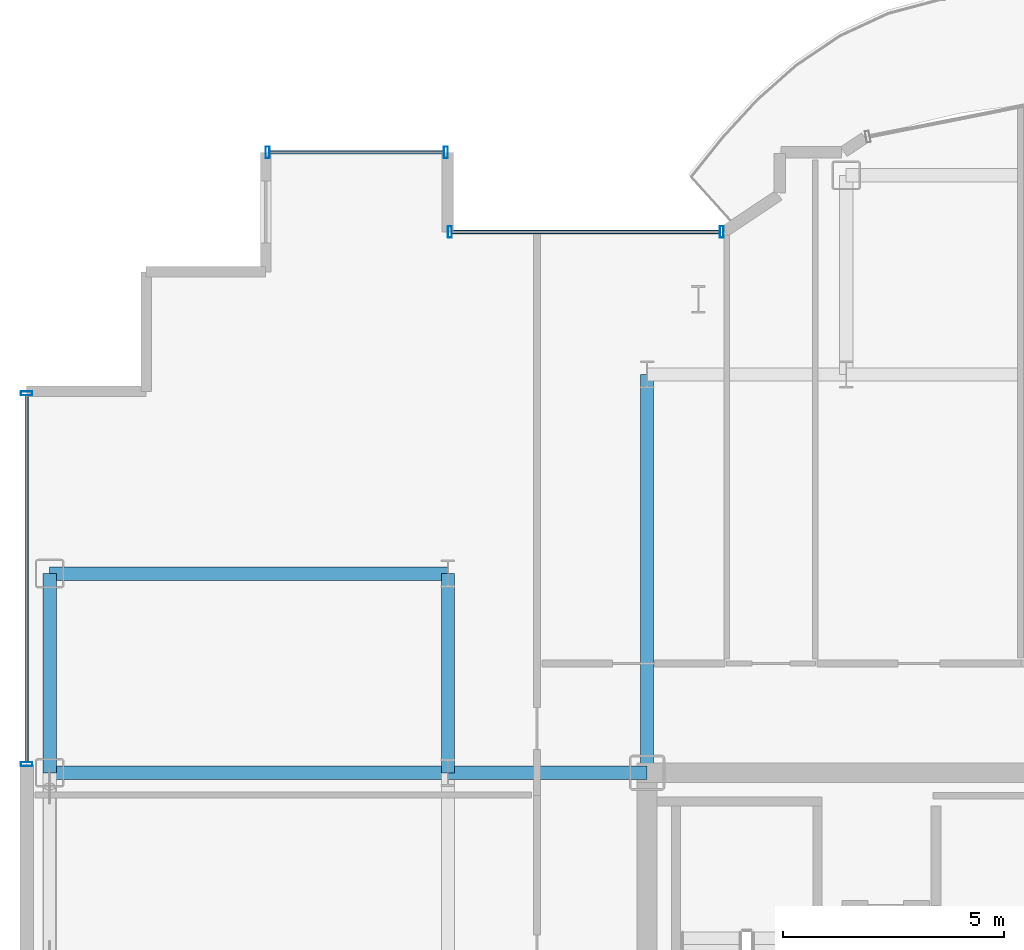
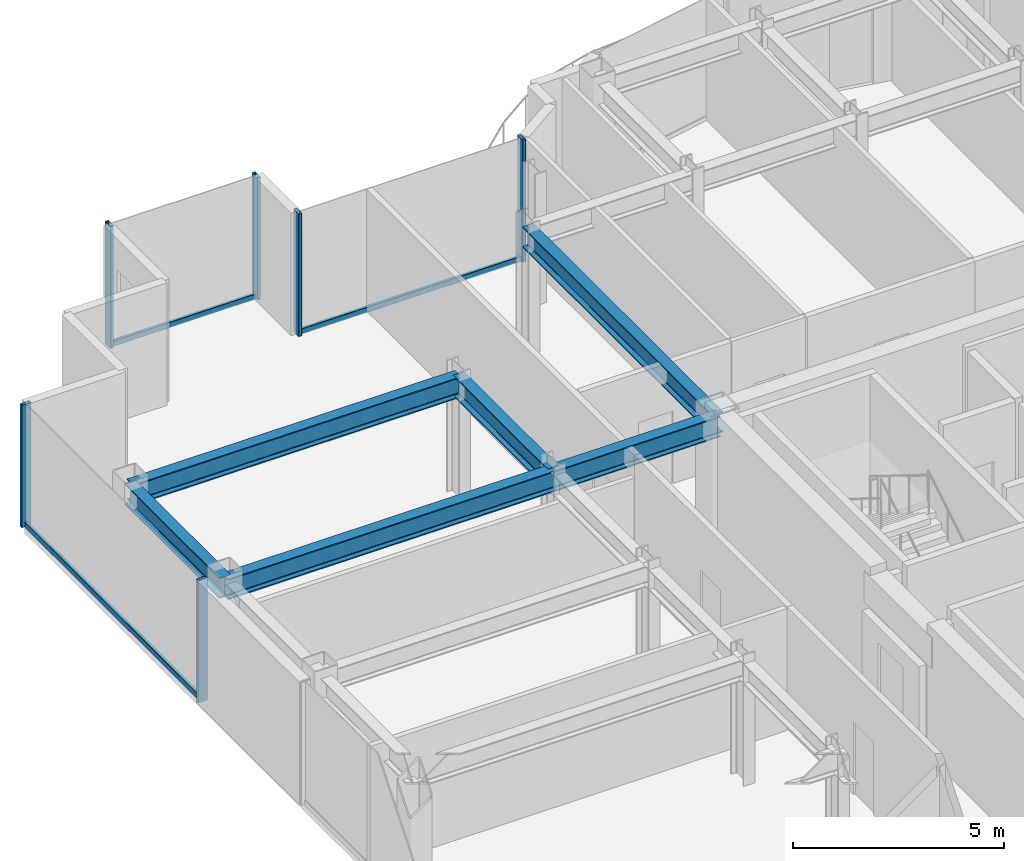
# One storey, part 7 of 16: 9 members, 6 beams, 3 elements without a shape of their own.
"""IFC4 building model written with IfcOpenShell, lengths in metres."""

from ifc_helpers import new_model, si_unit, direction, frame, origin, origin_2d, place, context, subcontext, project, spatial, hollow_rectangle, i_section, extrude, source, transform, mapped, material, layer, layer_set, material_profile, profile_set, type_object, element, aggregate, save


model = new_model("IFC4")

# Units and contexts
model_context = context("Model", 3, precision=1e-05, world=origin(), true_north=direction((0.0, 1.0)))
body_context = subcontext(model_context, "Body", "Model", "MODEL_VIEW")
ifc_project = project(units=[si_unit("LENGTHUNIT", "METRE"), si_unit("AREAUNIT", "SQUARE_METRE"), si_unit("VOLUMEUNIT", "CUBIC_METRE"), si_unit("PLANEANGLEUNIT", "RADIAN"), si_unit("MASSUNIT", "GRAM", prefix="KILO")], contexts=[model_context])

# Site, building, storey
site_placement = place(None, origin())
site = spatial("IfcSite", under=ifc_project, at=site_placement, CompositionType="ELEMENT")
building_placement = place(site_placement, origin())
building = spatial("IfcBuilding", under=site, at=building_placement, Name="Nefas-Gora Pilgrimage Tower", CompositionType="ELEMENT")
storey_placement = place(building_placement, frame((0.0, 0.0, 287.39990234375)))
storey = spatial("IfcBuildingStorey", under=building, at=storey_placement, Name="L72", CompositionType="ELEMENT", Elevation=287.39990234375)

# Beams
ifc_material_1 = material(Name="Steel S355", Category="steel")
ifc_material_profile_1 = material_profile(ifc_material_1, i_section(OverallWidth=0.300048828125, OverallDepth=0.60009765625, WebThickness=0.015380859375, FlangeThickness=0.030029296875, FilletRadius=0.027099609375, at=origin_2d()), Name="HEB 600")
ifc_profile_set_1 = profile_set([ifc_material_profile_1], Name="Steel S355")
beam_type_1 = type_object("IfcBeamType", Name="BM-SPN-HEB450", PredefinedType="SPANDREL", material=ifc_profile_set_1)
shared_shape_1 = source(origin(), body_context, "Body", "SweptSolid", [
    extrude(i_section(OverallWidth=0.300048828125, OverallDepth=0.60009765625, WebThickness=0.015380859375, FlangeThickness=0.030029296875, FilletRadius=0.027099609375, at=origin_2d()), origin(), (0.0, 0.0, 1.0), 4.5),
])
beam_placement = place(storey_placement, frame((-24.75, 9.0, 3.25), z_axis=(0.0, 1.0, 0.0), x_axis=(-1.0, 0.0, 0.0)))
element("IfcBeam", 1, at=beam_placement, inside=storey, type_object=beam_type_1, Name="L72 SP-03 beam", PredefinedType="SPANDREL", context=body_context, shape_type="MappedRepresentation", body=[
    mapped(shared_shape_1, transform((0.0, 0.0, 0.0), x_axis=(1.0, 0.0, 0.0), y_axis=(0.0, 1.0, 0.0), z_axis=(0.0, 0.0, 1.0), scale=1.0)),
])
ifc_material_profile_2 = material_profile(ifc_material_1, i_section(OverallWidth=0.300048828125, OverallDepth=0.60009765625, WebThickness=0.015380859375, FlangeThickness=0.030029296875, FilletRadius=0.027099609375, at=origin_2d()), Name="HEB 600")
ifc_profile_set_2 = profile_set([ifc_material_profile_2], Name="Steel S355")
beam_type_2 = type_object("IfcBeamType", Name="BM-GIR-HEB600", PredefinedType="BEAM", material=ifc_profile_set_2)
shared_shape_2 = source(origin(), body_context, "Body", "SweptSolid", [
    extrude(i_section(OverallWidth=0.300048828125, OverallDepth=0.60009765625, WebThickness=0.015380859375, FlangeThickness=0.030029296875, FilletRadius=0.027099609375, at=origin_2d()), origin(), (0.0, 0.0, 1.0), 9.0),
])
for number, where, z_axis, x_axis, name in (
    (2, (-24.75, 9.0, 3.25), (1.0, 0.0, 0.0), (0.0, 1.0, 0.0), "L72 G-04 beam"),
    (3, (-24.75, 13.5, 3.25), (1.0, 0.0, 0.0), (0.0, 1.0, 0.0), "L72 G-04 beam"),
    (4, (-11.25, 9.0, 3.25), (0.0, 1.0, 0.0), (-1.0, 0.0, 0.0), "L72 G-04 beam"),
):
    element("IfcBeam", number, at=place(storey_placement, frame(where, z_axis=z_axis, x_axis=x_axis)), inside=storey, type_object=beam_type_2, Name=name, PredefinedType="BEAM", context=body_context, shape_type="MappedRepresentation", body=[
        mapped(shared_shape_2, transform((0.0, 0.0, 0.0), x_axis=(1.0, 0.0, 0.0), y_axis=(0.0, 1.0, 0.0), z_axis=(0.0, 0.0, 1.0), scale=1.0)),
    ])
shared_shape_3 = source(origin(), body_context, "Body", "SweptSolid", [
    extrude(i_section(OverallWidth=0.300048828125, OverallDepth=0.60009765625, WebThickness=0.015380859375, FlangeThickness=0.030029296875, FilletRadius=0.027099609375, at=origin_2d()), origin(), (0.0, 0.0, 1.0), 4.5),
])
for number, where, z_axis, x_axis, name in (
    (5, (-15.75, 9.0, 3.25), (0.0, 1.0, 0.0), (-1.0, 0.0, 0.0), "L72 G-04 beam"),
    (6, (-15.75, 9.0, 3.25), (1.0, 0.0, 0.0), (0.0, 1.0, 0.0), "L72 G-04 beam"),
):
    element("IfcBeam", number, at=place(storey_placement, frame(where, z_axis=z_axis, x_axis=x_axis)), inside=storey, type_object=beam_type_2, Name=name, PredefinedType="BEAM", context=body_context, shape_type="MappedRepresentation", body=[
        mapped(shared_shape_3, transform((0.0, 0.0, 0.0), x_axis=(1.0, 0.0, 0.0), y_axis=(0.0, 1.0, 0.0), z_axis=(0.0, 0.0, 1.0), scale=1.0)),
    ])

# Curtain wall, members
ifc_material_2 = material(Name="Dark ceramic-fritted solar-control aluminium-glass curtain wall", Category="aluminium")
ifc_layer_1 = layer(ifc_material_2, 0.219970703125)
ifc_layer_set_1 = layer_set([ifc_layer_1], Name="Dark ceramic-fritted solar-control aluminium-glass curtain wall")
curtain_wall_type_1 = type_object("IfcCurtainWallType", Name="CW-SYS-5", PredefinedType="NOTDEFINED", material=ifc_layer_set_1)
curtain_wall_1_placement = place(storey_placement, origin())
curtain_wall_1 = element("IfcCurtainWall", 7, at=curtain_wall_1_placement, inside=storey, type_object=curtain_wall_type_1, Name="L72 Unitised Curtain Wall CW5", PredefinedType="NOTDEFINED")
ifc_material_3 = material(Name="Anodised architectural aluminium", Category="aluminium")
ifc_material_profile_3 = material_profile(ifc_material_3, hollow_rectangle(XDim=0.090087890625, YDim=0.260009765625, WallThickness=0.006103515625, InnerFilletRadius=0.006103515625, OuterFilletRadius=0.011962890625, at=origin_2d()), Name="ALU MULLION 90x260")
ifc_profile_set_3 = profile_set([ifc_material_profile_3], Name="Anodised architectural aluminium")
member_type_1 = type_object("IfcMemberType", Name="CWM-MUL-5", PredefinedType="MULLION", material=ifc_profile_set_3)
shared_shape_4 = source(origin(), body_context, "Body", "SweptSolid", [
    extrude(hollow_rectangle(XDim=0.090087890625, YDim=0.260009765625, WallThickness=0.006103515625, InnerFilletRadius=0.006103515625, OuterFilletRadius=0.011962890625, at=origin_2d()), origin(), (0.0, 0.0, 1.0), 3.550048828125),
])
member_1_placement = place(storey_placement, frame((-9.56298828125, 21.219970703125, 0.0), z_axis=(0.0, 0.0, 1.0), x_axis=(-1.0, 0.0, 0.0)))
member_1 = element("IfcMember", 8, at=member_1_placement, type_object=member_type_1, Name="CW5 Mullion 1", PredefinedType="MULLION", context=body_context, shape_type="MappedRepresentation", body=[
    mapped(shared_shape_4, transform((0.0, 0.0, 0.0), x_axis=(1.0, 0.0, 0.0), y_axis=(0.0, 1.0, 0.0), z_axis=(0.0, 0.0, 1.0), scale=1.0)),
])
member_2_placement = place(storey_placement, frame((-15.705078125, 21.219970703125, 0.0), z_axis=(0.0, 0.0, 1.0), x_axis=(-1.0, 0.0, 0.0)))
member_2 = element("IfcMember", 9, at=member_2_placement, type_object=member_type_1, Name="CW5 Mullion 2", PredefinedType="MULLION", context=body_context, shape_type="MappedRepresentation", body=[
    mapped(shared_shape_4, transform((0.0, 0.0, 0.0), x_axis=(1.0, 0.0, 0.0), y_axis=(0.0, 1.0, 0.0), z_axis=(0.0, 0.0, 1.0), scale=1.0)),
])
ifc_material_profile_4 = material_profile(ifc_material_3, hollow_rectangle(XDim=0.080078125, YDim=0.159912109375, WallThickness=0.00439453125, InnerFilletRadius=0.00439453125, OuterFilletRadius=0.009033203125, at=origin_2d()), Name="ALU TRANSOM 80x160")
ifc_profile_set_4 = profile_set([ifc_material_profile_4], Name="Anodised architectural aluminium")
member_type_2 = type_object("IfcMemberType", Name="CWM-TRN-5", PredefinedType="USERDEFINED", material=ifc_profile_set_4)
shared_shape_5 = source(origin(), body_context, "Body", "SweptSolid", [
    extrude(hollow_rectangle(XDim=0.080078125, YDim=0.159912109375, WallThickness=0.00439453125, InnerFilletRadius=0.00439453125, OuterFilletRadius=0.009033203125, at=origin_2d()), origin(), (0.0, 0.0, 1.0), 6.052001953125),
])
member_3_placement = place(storey_placement, frame((-9.60791015625, 21.219970703125, 0.050048828125), z_axis=(-1.0, 0.0, 0.0), x_axis=(0.0, -1.0, 0.0)))
member_3 = element("IfcMember", 10, at=member_3_placement, type_object=member_type_2, Name="CW5 Spandrel Transom", ObjectType="TRANSOM", PredefinedType="USERDEFINED", context=body_context, shape_type="MappedRepresentation", body=[
    mapped(shared_shape_5, transform((0.0, 0.0, 0.0), x_axis=(1.0, 0.0, 0.0), y_axis=(0.0, 1.0, 0.0), z_axis=(0.0, 0.0, 1.0), scale=1.0)),
])
aggregate(curtain_wall_1, [member_1, member_2, member_3])

# Curtain wall, member
ifc_layer_2 = layer(ifc_material_2, 0.219970703125)
ifc_layer_set_2 = layer_set([ifc_layer_2], Name="Dark ceramic-fritted solar-control aluminium-glass curtain wall")
curtain_wall_type_2 = type_object("IfcCurtainWallType", Name="CW-SYS-4", PredefinedType="NOTDEFINED", material=ifc_layer_set_2)
curtain_wall_2_placement = place(storey_placement, origin())
curtain_wall_2 = element("IfcCurtainWall", 11, at=curtain_wall_2_placement, inside=storey, type_object=curtain_wall_type_2, Name="L72 Unitised Curtain Wall CW4", PredefinedType="NOTDEFINED")
ifc_material_profile_5 = material_profile(ifc_material_3, hollow_rectangle(XDim=0.080078125, YDim=0.159912109375, WallThickness=0.00439453125, InnerFilletRadius=0.00439453125, OuterFilletRadius=0.009033203125, at=origin_2d()), Name="ALU TRANSOM 80x160")
ifc_profile_set_5 = profile_set([ifc_material_profile_5], Name="Anodised architectural aluminium")
member_type_3 = type_object("IfcMemberType", Name="CWM-TRN-4", PredefinedType="USERDEFINED", material=ifc_profile_set_5)
shared_shape_6 = source(origin(), body_context, "Body", "SweptSolid", [
    extrude(hollow_rectangle(XDim=0.080078125, YDim=0.159912109375, WallThickness=0.00439453125, InnerFilletRadius=0.00439453125, OuterFilletRadius=0.009033203125, at=origin_2d()), origin(), (0.0, 0.0, 1.0), 8.2900390625),
])
member_4_placement = place(storey_placement, frame((-25.27001953125, 17.530029296875, 0.050048828125), z_axis=(0.0, -1.0, 0.0), x_axis=(1.0, 0.0, 0.0)))
member_4 = element("IfcMember", 12, at=member_4_placement, type_object=member_type_3, Name="CW4 Spandrel Transom", ObjectType="TRANSOM", PredefinedType="USERDEFINED", context=body_context, shape_type="MappedRepresentation", body=[
    mapped(shared_shape_6, transform((0.0, 0.0, 0.0), x_axis=(1.0, 0.0, 0.0), y_axis=(0.0, 1.0, 0.0), z_axis=(0.0, 0.0, 1.0), scale=1.0)),
])

# Curtain wall, members
curtain_wall_3_placement = place(storey_placement, origin())
curtain_wall_3 = element("IfcCurtainWall", 13, at=curtain_wall_3_placement, inside=storey, type_object=curtain_wall_type_2, Name="L72 Unitised Curtain Wall CW4", PredefinedType="NOTDEFINED")
shared_shape_7 = source(origin(), body_context, "Body", "SweptSolid", [
    extrude(hollow_rectangle(XDim=0.080078125, YDim=0.159912109375, WallThickness=0.00439453125, InnerFilletRadius=0.00439453125, OuterFilletRadius=0.009033203125, at=origin_2d()), origin(), (0.0, 0.0, 1.0), 3.93994140625),
])
member_5_placement = place(storey_placement, frame((-15.840087890625, 23.02001953125, 0.050048828125), z_axis=(-1.0, 0.0, 0.0), x_axis=(0.0, -1.0, 0.0)))
member_5 = element("IfcMember", 14, at=member_5_placement, type_object=member_type_3, Name="CW4 Spandrel Transom", ObjectType="TRANSOM", PredefinedType="USERDEFINED", context=body_context, shape_type="MappedRepresentation", body=[
    mapped(shared_shape_7, transform((0.0, 0.0, 0.0), x_axis=(1.0, 0.0, 0.0), y_axis=(0.0, 1.0, 0.0), z_axis=(0.0, 0.0, 1.0), scale=1.0)),
])
ifc_material_profile_6 = material_profile(ifc_material_3, hollow_rectangle(XDim=0.090087890625, YDim=0.260009765625, WallThickness=0.006103515625, InnerFilletRadius=0.006103515625, OuterFilletRadius=0.011962890625, at=origin_2d()), Name="ALU MULLION 90x260")
ifc_profile_set_6 = profile_set([ifc_material_profile_6], Name="Anodised architectural aluminium")
member_type_4 = type_object("IfcMemberType", Name="CWM-MUL-4", PredefinedType="MULLION", material=ifc_profile_set_6)
shared_shape_8 = source(origin(), body_context, "Body", "SweptSolid", [
    extrude(hollow_rectangle(XDim=0.090087890625, YDim=0.260009765625, WallThickness=0.006103515625, InnerFilletRadius=0.006103515625, OuterFilletRadius=0.011962890625, at=origin_2d()), origin(), (0.0, 0.0, 1.0), 3.550048828125),
])
member_6_placement = place(storey_placement, frame((-15.794921875, 23.02001953125, 0.0), z_axis=(0.0, 0.0, 1.0), x_axis=(-1.0, 0.0, 0.0)))
member_6 = element("IfcMember", 15, at=member_6_placement, type_object=member_type_4, Name="CW4 Mullion 1", PredefinedType="MULLION", context=body_context, shape_type="MappedRepresentation", body=[
    mapped(shared_shape_8, transform((0.0, 0.0, 0.0), x_axis=(1.0, 0.0, 0.0), y_axis=(0.0, 1.0, 0.0), z_axis=(0.0, 0.0, 1.0), scale=1.0)),
])
member_7_placement = place(storey_placement, frame((-19.824951171875, 23.02001953125, 0.0), z_axis=(0.0, 0.0, 1.0), x_axis=(-1.0, 0.0, 0.0)))
member_7 = element("IfcMember", 16, at=member_7_placement, type_object=member_type_4, Name="CW4 Mullion 2", PredefinedType="MULLION", context=body_context, shape_type="MappedRepresentation", body=[
    mapped(shared_shape_8, transform((0.0, 0.0, 0.0), x_axis=(1.0, 0.0, 0.0), y_axis=(0.0, 1.0, 0.0), z_axis=(0.0, 0.0, 1.0), scale=1.0)),
])
aggregate(curtain_wall_3, [member_6, member_7, member_5])

# Member
member_8_placement = place(storey_placement, frame((-25.27001953125, 17.574951171875, 0.0), z_axis=(0.0, 0.0, 1.0), x_axis=(0.0, -1.0, 0.0)))
member_8 = element("IfcMember", 17, at=member_8_placement, type_object=member_type_4, Name="CW4 Mullion 1", PredefinedType="MULLION", context=body_context, shape_type="MappedRepresentation", body=[
    mapped(shared_shape_8, transform((0.0, 0.0, 0.0), x_axis=(1.0, 0.0, 0.0), y_axis=(0.0, 1.0, 0.0), z_axis=(0.0, 0.0, 1.0), scale=1.0)),
])

member_9_placement = place(storey_placement, frame((-25.27001953125, 9.195068359375, 0.0), z_axis=(0.0, 0.0, 1.0), x_axis=(0.0, -1.0, 0.0)))
member_9 = element("IfcMember", 18, at=member_9_placement, type_object=member_type_4, Name="CW4 Mullion 2", PredefinedType="MULLION", context=body_context, shape_type="MappedRepresentation", body=[
    mapped(shared_shape_8, transform((0.0, 0.0, 0.0), x_axis=(1.0, 0.0, 0.0), y_axis=(0.0, 1.0, 0.0), z_axis=(0.0, 0.0, 1.0), scale=1.0)),
])

aggregate(curtain_wall_2, [member_8, member_9, member_4])

save(model, "model.ifc")
